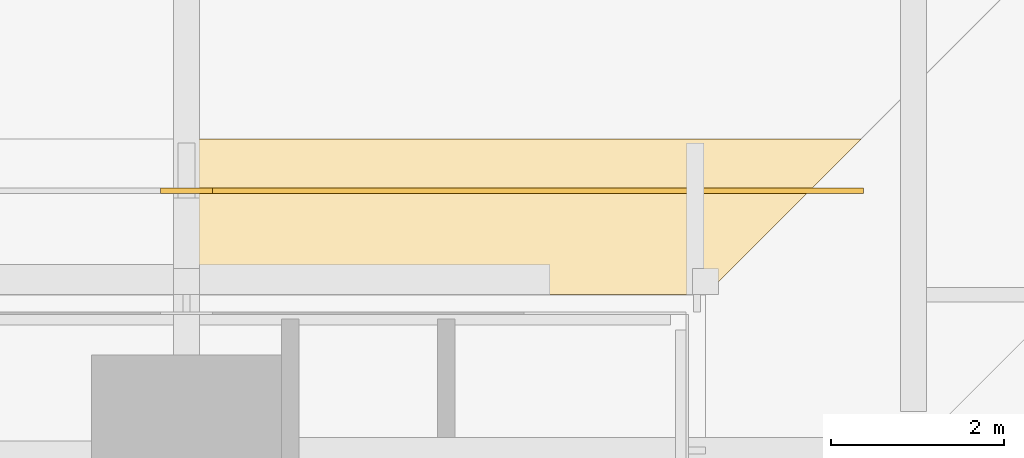
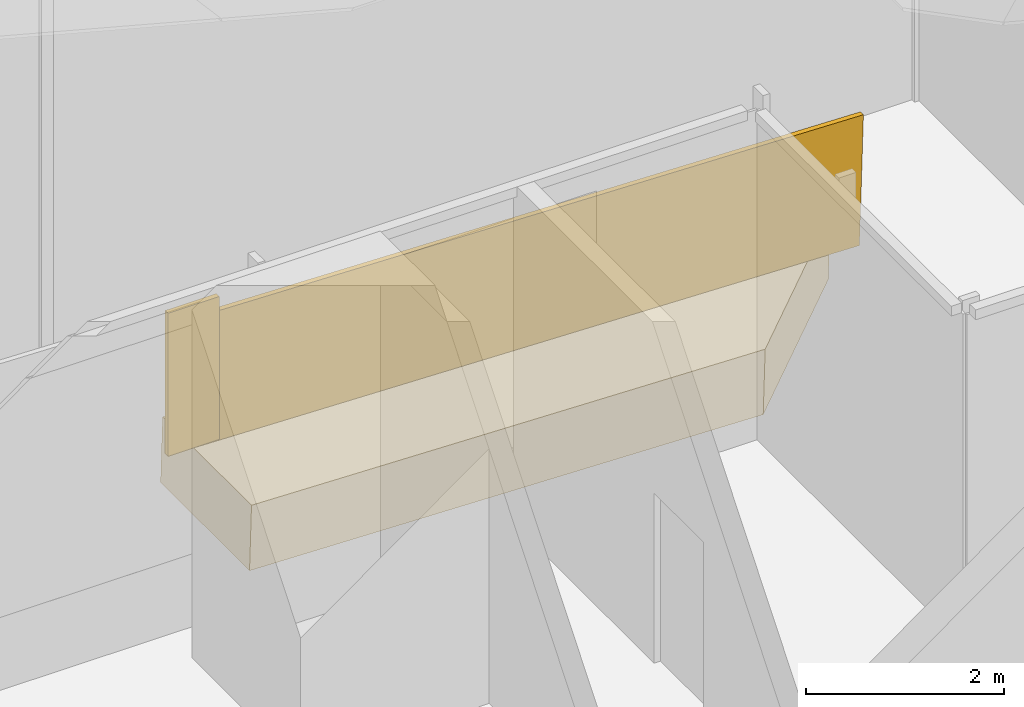
# One storey, part 58 of 60: 2 railings, 1 covering.
"""IFC4 building model written with IfcOpenShell, lengths in metres."""

from ifc_helpers import new_model, si_unit, direction, frame, origin, origin_2d, place, context, subcontext, project, spatial, polyline, rectangle, outline, extrude, material, layer, layer_set, type_object, element, save


model = new_model("IFC4")

# Units and contexts
model_context = context("Model", 3, precision=1e-05, world=origin(), true_north=direction((0.0, 1.0)))
body_context = subcontext(model_context, "Body", "Model", "MODEL_VIEW")
ifc_project = project(units=[si_unit("LENGTHUNIT", "METRE"), si_unit("AREAUNIT", "SQUARE_METRE"), si_unit("VOLUMEUNIT", "CUBIC_METRE"), si_unit("PLANEANGLEUNIT", "RADIAN"), si_unit("MASSUNIT", "GRAM", prefix="KILO")], contexts=[model_context])

# Site, building, storey
site_placement = place(None, origin())
site = spatial("IfcSite", under=ifc_project, at=site_placement, CompositionType="ELEMENT")
building_placement = place(site_placement, origin())
building = spatial("IfcBuilding", under=site, at=building_placement, Name="Saffron Gate Tower", CompositionType="ELEMENT")
storey_placement = place(building_placement, frame((0.0, 0.0, 19.199951171875)))
storey = spatial("IfcBuildingStorey", under=building, at=storey_placement, Name="L03", CompositionType="ELEMENT", Elevation=19.199951171875)

# Covering
ifc_material = material(Name="Timber, thermally modified ash", Category="wood")
ifc_layer = layer(ifc_material, 0.800048828125)
ifc_layer_set = layer_set([ifc_layer], Name="LD1 ledge timber")
covering_type = type_object("IfcCoveringType", Name="LD1 ledge timber", PredefinedType="CLADDING", material=ifc_layer_set)
covering_placement = place(storey_placement, frame((123.0, 75.60009765625, 0.900146484375), z_axis=(0.028807146299, 3.5032058e-05, 0.99958498743), x_axis=(-0.999584988043, 3.68e-10, 0.028807146316)))
element("IfcCovering", 1, at=covering_placement, inside=storey, type_object=covering_type, Name="LEDGE", PredefinedType="CLADDING", context=body_context, shape_type="SweptSolid", body=[
    extrude(outline(polyline([(0.0, 0.0), (6.0024892885105, 0.0), (6.002489289172793, -1.7998046863955992), (-1.800799813548424, -1.799804691475862), (0.0, 0.0)])), origin(), (0.0, 0.0, -1.0), 0.800048828125),
])

# Railings
railing_type = type_object("IfcRailingType", Name="LG1 ledge balustrade", PredefinedType="BALUSTRADE", material=ifc_material)
railing_1_placement = place(storey_placement, frame((124.800048828125, 76.800048828125, 0.84814453125)))
element("IfcRailing", 2, at=railing_1_placement, inside=storey, type_object=railing_type, Name="LEDGE BALUSTRADE", PredefinedType="BALUSTRADE", context=body_context, shape_type="SweptSolid", body=[
    extrude(rectangle(XDim=0.06005859375, YDim=1.60009765625, at=origin_2d()), frame((0.0, 0.0, 0.800048828125), z_axis=(-0.999584755248, 0.0, 0.028815222999), x_axis=(0.0, -1.0, 0.0)), (0.0, 0.0, 1.0), 7.80322265625),
])
railing_2_placement = place(storey_placement, frame((117.300048828125, 76.800048828125, 1.072998046875)))
element("IfcRailing", 3, at=railing_2_placement, inside=storey, type_object=railing_type, Name="LEDGE BALUSTRADE", PredefinedType="BALUSTRADE", context=body_context, shape_type="SweptSolid", body=[
    extrude(rectangle(XDim=0.06005859375, YDim=1.76513671875, at=origin_2d()), frame((0.0, 0.0, 0.882568359375), z_axis=(-1.0, 0.0, 0.0), x_axis=(0.0, -1.0, 0.0)), (0.0, 0.0, 1.0), 0.60009765625),
])

save(model, "model.ifc")
